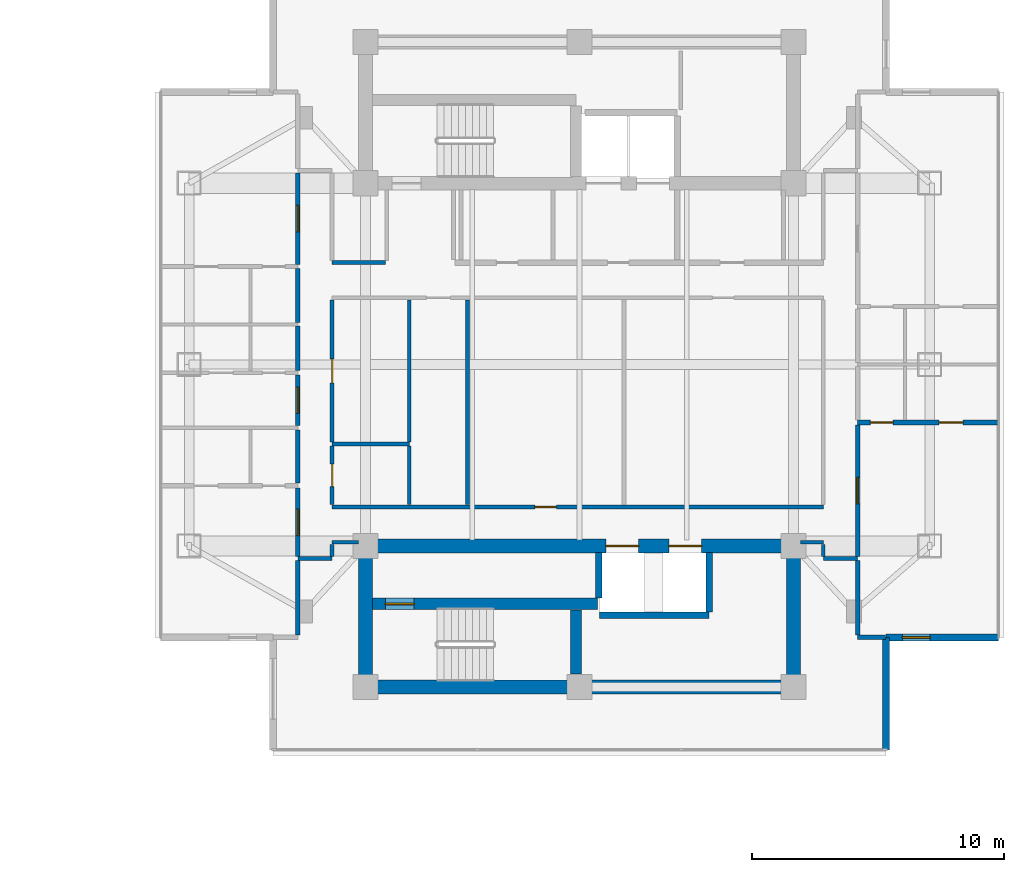
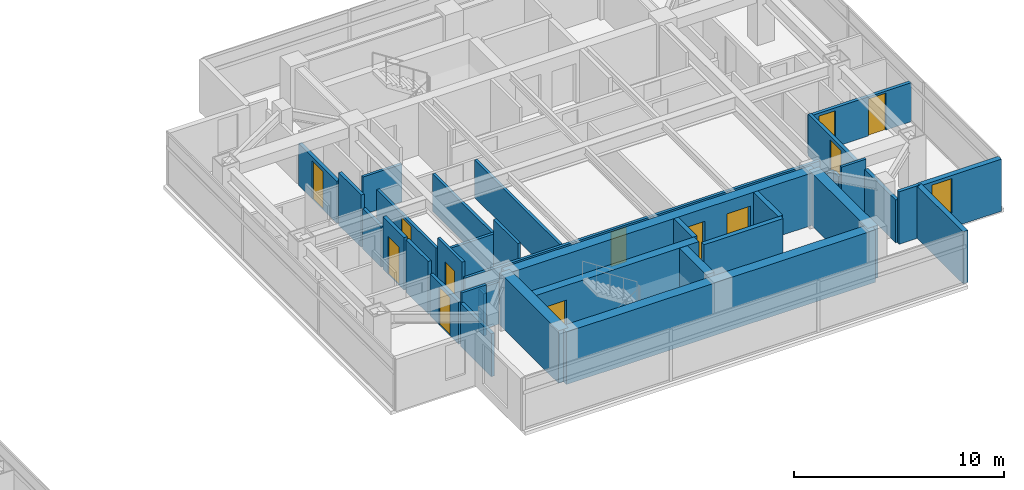
# One storey, part 16 of 24: 36 walls, 12 doors, 1 window, 13 openings.
"""IFC4 building model written with IfcOpenShell, lengths in metres."""

from ifc_helpers import new_model, si_unit, direction, frame, frame_2d, origin, place, context, subcontext, project, spatial, rectangle, extrude, material, layer, layer_set, type_object, element, fill, save


model = new_model("IFC4")

# Units and contexts
model_context = context("Model", 3, precision=1e-05, world=origin(), true_north=direction((0.0, 1.0)))
body_context = subcontext(model_context, "Body", "Model", "MODEL_VIEW")
ifc_project = project(units=[si_unit("LENGTHUNIT", "METRE"), si_unit("AREAUNIT", "SQUARE_METRE"), si_unit("VOLUMEUNIT", "CUBIC_METRE"), si_unit("PLANEANGLEUNIT", "RADIAN"), si_unit("MASSUNIT", "GRAM", prefix="KILO")], contexts=[model_context])

# Site, building, storey
site_placement = place(None, origin())
site = spatial("IfcSite", under=ifc_project, at=site_placement, CompositionType="ELEMENT")
building_placement = place(site_placement, origin())
building = spatial("IfcBuilding", under=site, at=building_placement, Name="Mirazonda Arch Towers", CompositionType="ELEMENT")
storey_placement = place(building_placement, frame((0.0, 0.0, 154.39990234375)))
storey = spatial("IfcBuildingStorey", under=building, at=storey_placement, Name="L43", CompositionType="ELEMENT", Elevation=154.39990234375)

# Wall, opening, door
ifc_material_1 = material(Name="Concrete C50/60", Category="concrete")
ifc_layer_1 = layer(ifc_material_1, 0.449951171875, Name="WALL-CORE-450")
ifc_layer_set_1 = layer_set([ifc_layer_1], Name="Concrete C50/60")
wall_type_1 = type_object("IfcWallType", Name="WALL-CORE-450", PredefinedType="SHEAR", material=ifc_layer_set_1)
wall_1_placement = place(storey_placement, frame((68.27001953125, 18.5, 0.0), z_axis=(0.0, 0.0, 1.0), x_axis=(1.0, 0.0, 0.0)))
wall_1 = element("IfcWall", 1, at=wall_1_placement, inside=storey, type_object=wall_type_1, Name="L43 Stair Core Shear Wall 014", PredefinedType="SHEAR", context=body_context, shape_type="SweptSolid", body=[
    extrude(rectangle(XDim=8.949951171875, YDim=0.449951171875, at=frame_2d((4.47509765625, 0.0))), origin(), (0.0, 0.0, 1.0), 3.050048828125),
])
opening_1_placement = place(wall_1_placement, frame((0.52001953125, 0.0, 0.0)))
opening_1 = element("IfcOpeningElement", 2, at=opening_1_placement, cuts=wall_1, Name="Opening DR-135", PredefinedType="OPENING", context=body_context, shape_type="SweptSolid", body=[
    extrude(rectangle(XDim=1.14990234375, YDim=2.199951171875, at=frame_2d((0.574951171875, 1.10009765625))), frame((0.0, 0.23486328125, 0.0), z_axis=(0.0, -1.0, 0.0), x_axis=(1.0, 0.0, 0.0)), (0.0, 0.0, 1.0), 0.469970703125),
])
ifc_material_2 = material(Name="Architectural Brushed Steel S355", Category="steel")
door_type_1 = type_object("IfcDoorType", Name="DOOR-STAIR-FD90-1150", OperationType="NOTDEFINED", PredefinedType="DOOR", material=ifc_material_2)
door_1_placement = place(opening_1_placement, origin())
door_1 = element("IfcDoor", 3, at=door_1_placement, inside=storey, type_object=door_type_1, Name="L43 East Protected Stair South Door", OperationType="SINGLE_SWING_RIGHT", OverallHeight=2.199951171875, OverallWidth=1.14990234375, PredefinedType="DOOR", context=body_context, shape_type="SweptSolid", body=[
    extrude(rectangle(XDim=1.14990234375, YDim=2.199951171875, at=frame_2d((0.574951171875, 1.10009765625))), frame((0.0, 0.02490234375, 0.0), z_axis=(0.0, -1.0, 0.0), x_axis=(1.0, 0.0, 0.0)), (0.0, 0.0, 1.0), 0.050048828125),
])
fill(opening_1, door_1)

# Walls
wall_2_placement = place(storey_placement, frame((76.360107421875, 15.715087890625, 0.0), z_axis=(0.0, 0.0, 1.0), x_axis=(0.0, 1.0, 0.0)))
element("IfcWall", 4, at=wall_2_placement, inside=storey, type_object=wall_type_1, Name="L43 Stair Core Shear Wall 147", PredefinedType="SHEAR", context=body_context, shape_type="SweptSolid", body=[
    extrude(rectangle(XDim=2.5498046875, YDim=0.449951171875, at=frame_2d((1.27490234375, 0.0))), origin(), (0.0, 0.0, 1.0), 3.050048828125),
])
ifc_layer_2 = layer(ifc_material_1, 0.550048828125, Name="WALL-CORE-550")
ifc_layer_set_2 = layer_set([ifc_layer_2], Name="Concrete C50/60")
wall_type_2 = type_object("IfcWallType", Name="WALL-CORE-550", PredefinedType="SHEAR", material=ifc_layer_set_2)
wall_3_placement = place(storey_placement, frame((68.0, 15.199951171875, 0.0), z_axis=(0.0, 0.0, 1.0), x_axis=(1.0, 0.0, 0.0)))
element("IfcWall", 5, at=wall_3_placement, inside=storey, type_object=wall_type_2, Name="L43 T2S-S Core Shear Wall", PredefinedType="SHEAR", context=body_context, shape_type="SweptSolid", body=[
    extrude(rectangle(XDim=17.0, YDim=0.550048828125, at=frame_2d((8.5, 0.0))), origin(), (0.0, 0.0, 1.0), 3.050048828125),
])
for number, where, z_axis, x_axis, name in (
    (6, (68.0, 15.199951171875, 0.0), (0.0, 0.0, 1.0), (0.0, 1.0, 0.0), "L43 T2S-W Core Shear Wall"),
    (7, (85.0, 15.199951171875, 0.0), (0.0, 0.0, 1.0), (0.0, 1.0, 0.0), "L43 T2S-E Core Shear Wall"),
):
    element("IfcWall", number, at=place(storey_placement, frame(where, z_axis=z_axis, x_axis=x_axis)), inside=storey, type_object=wall_type_2, Name=name, PredefinedType="SHEAR", context=body_context, shape_type="SweptSolid", body=[
        extrude(rectangle(XDim=5.60009765625, YDim=0.550048828125, at=frame_2d((2.800048828125, 0.0))), origin(), (0.0, 0.0, 1.0), 3.050048828125),
    ])

# Wall, openings, doors
wall_4_placement = place(storey_placement, frame((68.0, 20.800048828125, 0.0), z_axis=(0.0, 0.0, 1.0), x_axis=(1.0, 0.0, 0.0)))
wall_4 = element("IfcWall", 8, at=wall_4_placement, inside=storey, type_object=wall_type_2, Name="L43 T2S-N Core Shear Wall", PredefinedType="SHEAR", context=body_context, shape_type="SweptSolid", body=[
    extrude(rectangle(XDim=17.0, YDim=0.550048828125, at=frame_2d((8.5, 0.0))), origin(), (0.0, 0.0, 1.0), 3.050048828125),
])
opening_2_placement = place(wall_4_placement, frame((9.550048828125, 0.0, 0.0)))
opening_2 = element("IfcOpeningElement", 9, at=opening_2_placement, cuts=wall_4, Name="Opening LD-111", PredefinedType="OPENING", context=body_context, shape_type="SweptSolid", body=[
    extrude(rectangle(XDim=1.300048828125, YDim=2.300048828125, at=frame_2d((0.64990234375, 1.14990234375))), frame((0.0, 0.284912109375, 0.0), z_axis=(0.0, -1.0, 0.0), x_axis=(1.0, 0.0, 0.0)), (0.0, 0.0, 1.0), 0.570068359375),
])
opening_3_placement = place(wall_4_placement, frame((12.050048828125, 0.0, 0.0)))
opening_3 = element("IfcOpeningElement", 10, at=opening_3_placement, cuts=wall_4, Name="Opening LD-111", PredefinedType="OPENING", context=body_context, shape_type="SweptSolid", body=[
    extrude(rectangle(XDim=1.300048828125, YDim=2.300048828125, at=frame_2d((0.64990234375, 1.14990234375))), frame((0.0, 0.284912109375, 0.0), z_axis=(0.0, -1.0, 0.0), x_axis=(1.0, 0.0, 0.0)), (0.0, 0.0, 1.0), 0.570068359375),
])
door_type_2 = type_object("IfcDoorType", Name="DOOR-LIFT-LAND-1300", OperationType="NOTDEFINED", PredefinedType="DOOR", material=ifc_material_2)
door_2_placement = place(opening_2_placement, origin())
door_2 = element("IfcDoor", 11, at=door_2_placement, inside=storey, type_object=door_type_2, Name="L43 Lift Landing Sliding Door PL-T2H1", OperationType="DOUBLE_DOOR_SLIDING", OverallHeight=2.300048828125, OverallWidth=1.300048828125, PredefinedType="DOOR", context=body_context, shape_type="SweptSolid", body=[
    extrude(rectangle(XDim=1.300048828125, YDim=2.300048828125, at=frame_2d((0.64990234375, 1.14990234375))), frame((0.0, 0.02490234375, 0.0), z_axis=(0.0, -1.0, 0.0), x_axis=(1.0, 0.0, 0.0)), (0.0, 0.0, 1.0), 0.050048828125),
])
fill(opening_2, door_2)
door_3_placement = place(opening_3_placement, origin())
door_3 = element("IfcDoor", 12, at=door_3_placement, inside=storey, type_object=door_type_2, Name="L43 Lift Landing Sliding Door PL-T2H2", OperationType="DOUBLE_DOOR_SLIDING", OverallHeight=2.300048828125, OverallWidth=1.300048828125, PredefinedType="DOOR", context=body_context, shape_type="SweptSolid", body=[
    extrude(rectangle(XDim=1.300048828125, YDim=2.300048828125, at=frame_2d((0.64990234375, 1.14990234375))), frame((0.0, 0.02490234375, 0.0), z_axis=(0.0, -1.0, 0.0), x_axis=(1.0, 0.0, 0.0)), (0.0, 0.0, 1.0), 0.050048828125),
])
fill(opening_3, door_3)

# Wall, opening, window
ifc_material_3 = material(Name="Precast Concrete C40/50", Category="concrete")
ifc_layer_3 = layer(ifc_material_3, 0.280029296875, Name="WALL-EXT-WALL-280")
ifc_layer_set_3 = layer_set([ifc_layer_3], Name="Precast Concrete C40/50")
wall_type_3 = type_object("IfcWallType", Name="WALL-EXT-WALL-280", PredefinedType="SOLIDWALL", material=ifc_layer_set_3)
wall_5_placement = place(storey_placement, frame((88.667236328125, 17.173583984375, 0.0), z_axis=(0.0, 0.0, 1.0), x_axis=(1.0, 0.0, 0.0)))
wall_5 = element("IfcWall", 13, at=wall_5_placement, inside=storey, type_object=wall_type_3, Name="L43 T2 Corner Notch Return Wall WL-L43-T2-CSE1", PredefinedType="SOLIDWALL", context=body_context, shape_type="SweptSolid", body=[
    extrude(rectangle(XDim=4.46533203125, YDim=0.280029296875, at=frame_2d((2.232666015625, 0.0))), origin(), (0.0, 0.0, 1.0), 3.030029296875),
])
opening_4_placement = place(wall_5_placement, frame((0.64990234375, 0.0, 0.85009765625)))
opening_4 = element("IfcOpeningElement", 14, at=opening_4_placement, cuts=wall_5, Name="Opening WN-108", PredefinedType="OPENING", context=body_context, shape_type="SweptSolid", body=[
    extrude(rectangle(XDim=1.10009765625, YDim=2.0, at=frame_2d((0.550048828125, 1.0))), frame((0.0, 0.14990234375, 0.0), z_axis=(0.0, -1.0, 0.0), x_axis=(1.0, 0.0, 0.0)), (0.0, 0.0, 1.0), 0.300048828125),
])
ifc_material_4 = material(Name="Insulated Low-E Solar Glass", Category="glass")
window_type = type_object("IfcWindowType", Name="WIN-NOTCH-1100x2000", PartitioningType="SINGLE_PANEL", PredefinedType="WINDOW", material=ifc_material_4)
window_placement = place(opening_4_placement, origin())
window = element("IfcWindow", 15, at=window_placement, inside=storey, type_object=window_type, Name="L43 Punched Facade Window WN-L43-T2-CSE1", OverallHeight=2.0, OverallWidth=1.10009765625, PartitioningType="SINGLE_PANEL", PredefinedType="WINDOW", context=body_context, shape_type="SweptSolid", body=[
    extrude(rectangle(XDim=1.10009765625, YDim=2.0, at=frame_2d((0.550048828125, 1.0))), frame((0.0, 0.030029296875, 0.0), z_axis=(0.0, -1.0, 0.0), x_axis=(1.0, 0.0, 0.0)), (0.0, 0.0, 1.0), 0.06005859375),
])
fill(opening_4, window)

# Walls
wall_6_placement = place(storey_placement, frame((88.667236328125, 12.70849609375, 0.0), z_axis=(0.0, 0.0, 1.0), x_axis=(0.0, 1.0, 0.0)))
element("IfcWall", 16, at=wall_6_placement, inside=storey, type_object=wall_type_3, Name="L43 T2 Corner Notch Return Wall WL-L43-T2-CSE2", PredefinedType="SOLIDWALL", context=body_context, shape_type="SweptSolid", body=[
    extrude(rectangle(XDim=4.465087890625, YDim=0.280029296875, at=frame_2d((2.232421875, 0.0))), origin(), (0.0, 0.0, 1.0), 3.030029296875),
])
ifc_material_5 = material(Name="Fire-Rated Gypsum Stud Partition")
ifc_layer_4 = layer(ifc_material_5, 0.14990234375, Name="WALL-PART-CORR-150")
ifc_layer_set_4 = layer_set([ifc_layer_4], Name="Fire-Rated Gypsum Stud Partition")
wall_type_4 = type_object("IfcWallType", Name="WALL-PART-CORR-150", PredefinedType="PARTITIONING", material=ifc_layer_set_4)
wall_7_placement = place(storey_placement, frame((65.320068359375, 20.300048828125, 0.0), z_axis=(0.0, 0.0, 1.0), x_axis=(1.0, 0.0, 0.0)))
element("IfcWall", 17, at=wall_7_placement, inside=storey, type_object=wall_type_4, Name="L43 Interior Partition 017", PredefinedType="PARTITIONING", context=body_context, shape_type="SweptSolid", body=[
    extrude(rectangle(XDim=1.35986328125, YDim=0.14990234375, at=frame_2d((0.679931640625, 0.0))), origin(), (0.0, 0.0, 1.0), 3.050048828125),
])
wall_8_placement = place(storey_placement, frame((86.179931640625, 20.300048828125, 0.0), z_axis=(0.0, 0.0, 1.0), x_axis=(1.0, 0.0, 0.0)))
element("IfcWall", 18, at=wall_8_placement, inside=storey, type_object=wall_type_4, Name="L43 Interior Partition 018", PredefinedType="PARTITIONING", context=body_context, shape_type="SweptSolid", body=[
    extrude(rectangle(XDim=1.360107421875, YDim=0.14990234375, at=frame_2d((0.68017578125, 0.0))), origin(), (0.0, 0.0, 1.0), 3.050048828125),
])
wall_9_placement = place(storey_placement, frame((66.679931640625, 20.949951171875, 0.0), z_axis=(0.0, 0.0, 1.0), x_axis=(1.0, 0.0, 0.0)))
element("IfcWall", 19, at=wall_9_placement, inside=storey, type_object=wall_type_4, Name="L43 Interior Partition 019", PredefinedType="PARTITIONING", context=body_context, shape_type="SweptSolid", body=[
    extrude(rectangle(XDim=1.050048828125, YDim=0.14990234375, at=frame_2d((0.52490234375, 0.0))), origin(), (0.0, 0.0, 1.0), 2.442138671875),
])
wall_10_placement = place(storey_placement, frame((85.27001953125, 20.949951171875, 0.0), z_axis=(0.0, 0.0, 1.0), x_axis=(1.0, 0.0, 0.0)))
element("IfcWall", 20, at=wall_10_placement, inside=storey, type_object=wall_type_4, Name="L43 Interior Partition 020", PredefinedType="PARTITIONING", context=body_context, shape_type="SweptSolid", body=[
    extrude(rectangle(XDim=0.909912109375, YDim=0.14990234375, at=frame_2d((0.455078125, 0.0))), origin(), (0.0, 0.0, 1.0), 2.442138671875),
])

# Wall, opening, door
wall_11_placement = place(storey_placement, frame((66.679931640625, 22.35009765625, 0.0), z_axis=(0.0, 0.0, 1.0), x_axis=(1.0, 0.0, 0.0)))
wall_11 = element("IfcWall", 21, at=wall_11_placement, inside=storey, type_object=wall_type_4, Name="L43 Interior Partition 023", PredefinedType="PARTITIONING", context=body_context, shape_type="SweptSolid", body=[
    extrude(rectangle(XDim=19.5, YDim=0.14990234375, at=frame_2d((9.75, 0.0))), origin(), (0.0, 0.0, 1.0), 2.18603515625),
])
opening_5_placement = place(wall_11_placement, frame((8.053466796875, 0.0, 0.0)))
opening_5 = element("IfcOpeningElement", 22, at=opening_5_placement, cuts=wall_11, Name="Opening DR-128", PredefinedType="OPENING", context=body_context, shape_type="SweptSolid", body=[
    extrude(rectangle(XDim=0.85009765625, YDim=2.010009765625, at=frame_2d((0.425048828125, 1.0048828125))), frame((0.0, 0.0849609375, 0.0), z_axis=(0.0, -1.0, 0.0), x_axis=(1.0, 0.0, 0.0)), (0.0, 0.0, 1.0), 0.169921875),
])
door_type_3 = type_object("IfcDoorType", Name="DOOR-RISER-FD60-850", OperationType="NOTDEFINED", PredefinedType="DOOR", material=ifc_material_2)
door_4_placement = place(opening_5_placement, origin())
door_4 = element("IfcDoor", 23, at=door_4_placement, inside=storey, type_object=door_type_3, Name="L43 Residents Private Library Door", OperationType="SINGLE_SWING_LEFT", OverallHeight=2.010009765625, OverallWidth=0.85009765625, PredefinedType="DOOR", context=body_context, shape_type="SweptSolid", body=[
    extrude(rectangle(XDim=0.85009765625, YDim=2.010009765625, at=frame_2d((0.425048828125, 1.0048828125))), frame((0.0, 0.02490234375, 0.0), z_axis=(0.0, -1.0, 0.0), x_axis=(1.0, 0.0, 0.0)), (0.0, 0.0, 1.0), 0.050048828125),
])
fill(opening_5, door_4)

# Walls
wall_12_placement = place(storey_placement, frame((66.679931640625, 24.85009765625, 0.0), z_axis=(0.0, 0.0, 1.0), x_axis=(1.0, 0.0, 0.0)))
element("IfcWall", 24, at=wall_12_placement, inside=storey, type_object=wall_type_4, Name="L43 Interior Partition 028", PredefinedType="PARTITIONING", context=body_context, shape_type="SweptSolid", body=[
    extrude(rectangle(XDim=3.070068359375, YDim=0.14990234375, at=frame_2d((1.53515625, 0.0))), origin(), (0.0, 0.0, 1.0), 2.18603515625),
])
wall_13_placement = place(storey_placement, frame((66.679931640625, 32.050048828125, 0.0), z_axis=(0.0, 0.0, 1.0), x_axis=(1.0, 0.0, 0.0)))
element("IfcWall", 25, at=wall_13_placement, inside=storey, type_object=wall_type_4, Name="L43 Interior Partition 045", PredefinedType="PARTITIONING", context=body_context, shape_type="SweptSolid", body=[
    extrude(rectangle(XDim=2.1201171875, YDim=0.14990234375, at=frame_2d((1.06005859375, 0.0))), origin(), (0.0, 0.0, 1.0), 2.18603515625),
])
wall_14_placement = place(storey_placement, frame((66.679931640625, 20.385009765625, 0.0), z_axis=(0.0, 0.0, 1.0), x_axis=(0.0, 1.0, 0.0)))
element("IfcWall", 26, at=wall_14_placement, inside=storey, type_object=wall_type_4, Name="L43 Interior Partition 136", PredefinedType="PARTITIONING", context=body_context, shape_type="SweptSolid", body=[
    extrude(rectangle(XDim=0.47998046875, YDim=0.14990234375, at=frame_2d((0.239990234375, 0.0))), origin(), (0.0, 0.0, 1.0), 2.442138671875),
])

# Wall, opening, door
wall_15_placement = place(storey_placement, frame((66.679931640625, 22.43505859375, 0.0), z_axis=(0.0, 0.0, 1.0), x_axis=(0.0, 1.0, 0.0)))
wall_15 = element("IfcWall", 27, at=wall_15_placement, inside=storey, type_object=wall_type_4, Name="L43 Interior Partition 137", PredefinedType="PARTITIONING", context=body_context, shape_type="SweptSolid", body=[
    extrude(rectangle(XDim=2.329833984375, YDim=0.14990234375, at=frame_2d((1.1650390625, 0.0))), origin(), (0.0, 0.0, 1.0), 3.050048828125),
])
opening_6_placement = place(wall_15_placement, frame((0.715087890625, 0.0, 0.0)))
opening_6 = element("IfcOpeningElement", 28, at=opening_6_placement, cuts=wall_15, Name="Opening DR-120", PredefinedType="OPENING", context=body_context, shape_type="SweptSolid", body=[
    extrude(rectangle(XDim=0.89990234375, YDim=2.10009765625, at=frame_2d((0.449951171875, 1.050048828125))), frame((0.0, 0.0849609375, 0.0), z_axis=(0.0, -1.0, 0.0), x_axis=(1.0, 0.0, 0.0)), (0.0, 0.0, 1.0), 0.169921875),
])
door_type_4 = type_object("IfcDoorType", Name="DOOR-WC-900", OperationType="NOTDEFINED", PredefinedType="DOOR", material=ifc_material_2)
door_5_placement = place(opening_6_placement, origin())
door_5 = element("IfcDoor", 29, at=door_5_placement, inside=storey, type_object=door_type_4, Name="L43 Tower 2 Common Accessible WC Door", OperationType="SINGLE_SWING_LEFT", OverallHeight=2.10009765625, OverallWidth=0.89990234375, PredefinedType="DOOR", context=body_context, shape_type="SweptSolid", body=[
    extrude(rectangle(XDim=0.89990234375, YDim=2.10009765625, at=frame_2d((0.449951171875, 1.050048828125))), frame((0.0, 0.02490234375, 0.0), z_axis=(0.0, -1.0, 0.0), x_axis=(1.0, 0.0, 0.0)), (0.0, 0.0, 1.0), 0.050048828125),
])
fill(opening_6, door_5)

wall_16_placement = place(storey_placement, frame((66.679931640625, 24.93505859375, 0.0), z_axis=(0.0, 0.0, 1.0), x_axis=(0.0, 1.0, 0.0)))
wall_16 = element("IfcWall", 30, at=wall_16_placement, inside=storey, type_object=wall_type_4, Name="L43 Interior Partition 138", PredefinedType="PARTITIONING", context=body_context, shape_type="SweptSolid", body=[
    extrude(rectangle(XDim=5.6298828125, YDim=0.14990234375, at=frame_2d((2.81494140625, 0.0))), origin(), (0.0, 0.0, 1.0), 2.34619140625),
])
opening_7_placement = place(wall_16_placement, frame((2.340087890625, 0.0, 0.0)))
opening_7 = element("IfcOpeningElement", 31, at=opening_7_placement, cuts=wall_16, Name="Opening DR-104", PredefinedType="OPENING", context=body_context, shape_type="SweptSolid", body=[
    extrude(rectangle(XDim=0.949951171875, YDim=2.14990234375, at=frame_2d((0.47509765625, 1.074951171875))), frame((0.0, 0.0849609375, 0.0), z_axis=(0.0, -1.0, 0.0), x_axis=(1.0, 0.0, 0.0)), (0.0, 0.0, 1.0), 0.169921875),
])
door_type_5 = type_object("IfcDoorType", Name="DOOR-ROOM-950", OperationType="NOTDEFINED", PredefinedType="DOOR", material=ifc_material_2)
door_6_placement = place(opening_7_placement, origin())
door_6 = element("IfcDoor", 32, at=door_6_placement, inside=storey, type_object=door_type_5, Name="L43 L43 East Courtyard Reading Study Door", OperationType="SINGLE_SWING_LEFT", OverallHeight=2.14990234375, OverallWidth=0.949951171875, PredefinedType="DOOR", context=body_context, shape_type="SweptSolid", body=[
    extrude(rectangle(XDim=0.949951171875, YDim=2.14990234375, at=frame_2d((0.47509765625, 1.074951171875))), frame((0.0, 0.02490234375, 0.0), z_axis=(0.0, -1.0, 0.0), x_axis=(1.0, 0.0, 0.0)), (0.0, 0.0, 1.0), 0.050048828125),
])
fill(opening_7, door_6)

# Walls
wall_17_placement = place(storey_placement, frame((69.743408203125, 22.43505859375, 0.0), z_axis=(0.0, 0.0, 1.0), x_axis=(0.0, 1.0, 0.0)))
element("IfcWall", 33, at=wall_17_placement, inside=storey, type_object=wall_type_4, Name="L43 Interior Partition 141", PredefinedType="PARTITIONING", context=body_context, shape_type="SweptSolid", body=[
    extrude(rectangle(XDim=2.329833984375, YDim=0.14990234375, at=frame_2d((1.1650390625, 0.0))), origin(), (0.0, 0.0, 1.0), 3.050048828125),
])
wall_18_placement = place(storey_placement, frame((69.743408203125, 24.93505859375, 0.0), z_axis=(0.0, 0.0, 1.0), x_axis=(0.0, 1.0, 0.0)))
element("IfcWall", 34, at=wall_18_placement, inside=storey, type_object=wall_type_4, Name="L43 Interior Partition 142", PredefinedType="PARTITIONING", context=body_context, shape_type="SweptSolid", body=[
    extrude(rectangle(XDim=5.6298828125, YDim=0.14990234375, at=frame_2d((2.81494140625, 0.0))), origin(), (0.0, 0.0, 1.0), 2.18603515625),
])
wall_19_placement = place(storey_placement, frame((72.050048828125, 22.43505859375, 0.0), z_axis=(0.0, 0.0, 1.0), x_axis=(0.0, 1.0, 0.0)))
element("IfcWall", 35, at=wall_19_placement, inside=storey, type_object=wall_type_4, Name="L43 Interior Partition 145", PredefinedType="PARTITIONING", context=body_context, shape_type="SweptSolid", body=[
    extrude(rectangle(XDim=8.1298828125, YDim=0.14990234375, at=frame_2d((4.06494140625, 0.0))), origin(), (0.0, 0.0, 1.0), 2.18603515625),
])
wall_20_placement = place(storey_placement, frame((86.179931640625, 20.385009765625, 0.0), z_axis=(0.0, 0.0, 1.0), x_axis=(0.0, 1.0, 0.0)))
element("IfcWall", 36, at=wall_20_placement, inside=storey, type_object=wall_type_4, Name="L43 Interior Partition 156", PredefinedType="PARTITIONING", context=body_context, shape_type="SweptSolid", body=[
    extrude(rectangle(XDim=0.47998046875, YDim=0.14990234375, at=frame_2d((0.239990234375, 0.0))), origin(), (0.0, 0.0, 1.0), 2.442138671875),
])
ifc_material_6 = material(Name="Fire-Rated Gypsum Twin-Stud Assembly")
ifc_layer_5 = layer(ifc_material_6, 0.179931640625, Name="WALL-PART-DEMISE-180")
ifc_layer_set_5 = layer_set([ifc_layer_5], Name="Fire-Rated Gypsum Twin-Stud Assembly")
wall_type_5 = type_object("IfcWallType", Name="WALL-PART-DEMISE-180", PredefinedType="PARTITIONING", material=ifc_layer_set_5)
wall_21_placement = place(storey_placement, frame((87.5400390625, 17.174072265625, 0.0), z_axis=(0.0, 0.0, 1.0), x_axis=(1.0, 0.0, 0.0)))
element("IfcWall", 37, at=wall_21_placement, inside=storey, type_object=wall_type_5, Name="L43 Interior Partition 010", PredefinedType="PARTITIONING", context=body_context, shape_type="SweptSolid", body=[
    extrude(rectangle(XDim=1.107177734375, YDim=0.179931640625, at=frame_2d((0.5537109375, 0.0))), origin(), (0.0, 0.0, 1.0), 3.050048828125),
])

# Wall, openings, doors
wall_22_placement = place(storey_placement, frame((87.5400390625, 25.699951171875, 0.0), z_axis=(0.0, 0.0, 1.0), x_axis=(1.0, 0.0, 0.0)))
wall_22 = element("IfcWall", 38, at=wall_22_placement, inside=storey, type_object=wall_type_5, Name="L43 Interior Partition 032", PredefinedType="PARTITIONING", context=body_context, shape_type="SweptSolid", body=[
    extrude(rectangle(XDim=5.593017578125, YDim=0.179931640625, at=frame_2d((2.79638671875, 0.0))), origin(), (0.0, 0.0, 1.0), 2.26904296875),
])
opening_8_placement = place(wall_22_placement, frame((3.241455078125, 0.0, 0.0)))
opening_8 = element("IfcOpeningElement", 39, at=opening_8_placement, cuts=wall_22, Name="Opening DR-104", PredefinedType="OPENING", context=body_context, shape_type="SweptSolid", body=[
    extrude(rectangle(XDim=0.949951171875, YDim=2.14990234375, at=frame_2d((0.47509765625, 1.074951171875))), frame((0.0, 0.099853515625, 0.0), z_axis=(0.0, -1.0, 0.0), x_axis=(1.0, 0.0, 0.0)), (0.0, 0.0, 1.0), 0.199951171875),
])
opening_9_placement = place(wall_22_placement, frame((0.510009765625, 0.0, 0.0)))
opening_9 = element("IfcOpeningElement", 40, at=opening_9_placement, cuts=wall_22, Name="Opening DR-120", PredefinedType="OPENING", context=body_context, shape_type="SweptSolid", body=[
    extrude(rectangle(XDim=0.89990234375, YDim=2.10009765625, at=frame_2d((0.449951171875, 1.050048828125))), frame((0.0, 0.099853515625, 0.0), z_axis=(0.0, -1.0, 0.0), x_axis=(1.0, 0.0, 0.0)), (0.0, 0.0, 1.0), 0.199951171875),
])
door_7_placement = place(opening_8_placement, origin())
door_7 = element("IfcDoor", 41, at=door_7_placement, inside=storey, type_object=door_type_5, Name="L43 Studio 1 Galley Kitchen Door", OperationType="SINGLE_SWING_RIGHT", OverallHeight=2.14990234375, OverallWidth=0.949951171875, PredefinedType="DOOR", context=body_context, shape_type="SweptSolid", body=[
    extrude(rectangle(XDim=0.949951171875, YDim=2.14990234375, at=frame_2d((0.47509765625, 1.074951171875))), frame((0.0, 0.02490234375, 0.0), z_axis=(0.0, -1.0, 0.0), x_axis=(1.0, 0.0, 0.0)), (0.0, 0.0, 1.0), 0.050048828125),
])
fill(opening_8, door_7)
door_8_placement = place(opening_9_placement, origin())
door_8 = element("IfcDoor", 42, at=door_8_placement, inside=storey, type_object=door_type_4, Name="L43 Studio 1 Bathroom Door", OperationType="SINGLE_SWING_LEFT", OverallHeight=2.10009765625, OverallWidth=0.89990234375, PredefinedType="DOOR", context=body_context, shape_type="SweptSolid", body=[
    extrude(rectangle(XDim=0.89990234375, YDim=2.10009765625, at=frame_2d((0.449951171875, 1.050048828125))), frame((0.0, 0.02490234375, 0.0), z_axis=(0.0, -1.0, 0.0), x_axis=(1.0, 0.0, 0.0)), (0.0, 0.0, 1.0), 0.050048828125),
])
fill(opening_9, door_8)

# Wall
wall_23_placement = place(storey_placement, frame((65.320068359375, 17.27392578125, 0.0), z_axis=(0.0, 0.0, 1.0), x_axis=(0.0, 1.0, 0.0)))
element("IfcWall", 43, at=wall_23_placement, inside=storey, type_object=wall_type_5, Name="L43 Interior Partition 128", PredefinedType="PARTITIONING", context=body_context, shape_type="SweptSolid", body=[
    extrude(rectangle(XDim=2.941162109375, YDim=0.179931640625, at=frame_2d((1.470703125, 0.0))), origin(), (0.0, 0.0, 1.0), 2.4931640625),
])

# Wall, opening, door
wall_24_placement = place(storey_placement, frame((65.320068359375, 20.385009765625, 0.0), z_axis=(0.0, 0.0, 1.0), x_axis=(0.0, 1.0, 0.0)))
wall_24 = element("IfcWall", 44, at=wall_24_placement, inside=storey, type_object=wall_type_5, Name="L43 Interior Partition 129", PredefinedType="PARTITIONING", context=body_context, shape_type="SweptSolid", body=[
    extrude(rectangle(XDim=2.70703125, YDim=0.179931640625, at=frame_2d((1.353515625, 0.0))), origin(), (0.0, 0.0, 1.0), 2.442138671875),
])
opening_10_placement = place(wall_24_placement, frame((0.82861328125, 0.0, 0.0)))
opening_10 = element("IfcOpeningElement", 45, at=opening_10_placement, cuts=wall_24, Name="Opening DR-121", PredefinedType="OPENING", context=body_context, shape_type="SweptSolid", body=[
    extrude(rectangle(XDim=1.050048828125, YDim=2.199951171875, at=frame_2d((0.52490234375, 1.10009765625))), frame((0.0, 0.099853515625, 0.0), z_axis=(0.0, -1.0, 0.0), x_axis=(1.0, 0.0, 0.0)), (0.0, 0.0, 1.0), 0.199951171875),
])
door_type_6 = type_object("IfcDoorType", Name="DOOR-SUITE-FD60-1050", OperationType="NOTDEFINED", PredefinedType="DOOR", material=ifc_material_2)
door_9_placement = place(opening_10_placement, origin())
door_9 = element("IfcDoor", 46, at=door_9_placement, inside=storey, type_object=door_type_6, Name="L43 Studio Apartment 1 Living Salon Door", OperationType="SINGLE_SWING_RIGHT", OverallHeight=2.199951171875, OverallWidth=1.050048828125, PredefinedType="DOOR", context=body_context, shape_type="SweptSolid", body=[
    extrude(rectangle(XDim=1.050048828125, YDim=2.199951171875, at=frame_2d((0.52490234375, 1.10009765625))), frame((0.0, 0.02490234375, 0.0), z_axis=(0.0, -1.0, 0.0), x_axis=(1.0, 0.0, 0.0)), (0.0, 0.0, 1.0), 0.050048828125),
])
fill(opening_10, door_9)

# Wall
wall_25_placement = place(storey_placement, frame((65.320068359375, 23.2919921875, 0.0), z_axis=(0.0, 0.0, 1.0), x_axis=(0.0, 1.0, 0.0)))
element("IfcWall", 47, at=wall_25_placement, inside=storey, type_object=wall_type_5, Name="L43 Interior Partition 130", PredefinedType="PARTITIONING", context=body_context, shape_type="SweptSolid", body=[
    extrude(rectangle(XDim=2.114990234375, YDim=0.179931640625, at=frame_2d((1.0576171875, 0.0))), origin(), (0.0, 0.0, 1.0), 3.050048828125),
])

# Wall, opening, door
wall_26_placement = place(storey_placement, frame((65.320068359375, 25.576904296875, 0.0), z_axis=(0.0, 0.0, 1.0), x_axis=(0.0, 1.0, 0.0)))
wall_26 = element("IfcWall", 48, at=wall_26_placement, inside=storey, type_object=wall_type_5, Name="L43 Interior Partition 131", PredefinedType="PARTITIONING", context=body_context, shape_type="SweptSolid", body=[
    extrude(rectangle(XDim=2.01416015625, YDim=0.179931640625, at=frame_2d((1.007080078125, 0.0))), origin(), (0.0, 0.0, 1.0), 3.050048828125),
])
opening_11_placement = place(wall_26_placement, frame((0.48193359375, 0.0, 0.0)))
opening_11 = element("IfcOpeningElement", 49, at=opening_11_placement, cuts=wall_26, Name="Opening DR-121", PredefinedType="OPENING", context=body_context, shape_type="SweptSolid", body=[
    extrude(rectangle(XDim=1.050048828125, YDim=2.199951171875, at=frame_2d((0.52490234375, 1.10009765625))), frame((0.0, 0.099853515625, 0.0), z_axis=(0.0, -1.0, 0.0), x_axis=(1.0, 0.0, 0.0)), (0.0, 0.0, 1.0), 0.199951171875),
])
door_10_placement = place(opening_11_placement, origin())
door_10 = element("IfcDoor", 50, at=door_10_placement, inside=storey, type_object=door_type_6, Name="L43 Studio Apartment 2 Living Salon Door", OperationType="SINGLE_SWING_LEFT", OverallHeight=2.199951171875, OverallWidth=1.050048828125, PredefinedType="DOOR", context=body_context, shape_type="SweptSolid", body=[
    extrude(rectangle(XDim=1.050048828125, YDim=2.199951171875, at=frame_2d((0.52490234375, 1.10009765625))), frame((0.0, 0.02490234375, 0.0), z_axis=(0.0, -1.0, 0.0), x_axis=(1.0, 0.0, 0.0)), (0.0, 0.0, 1.0), 0.050048828125),
])
fill(opening_11, door_10)

# Walls
wall_27_placement = place(storey_placement, frame((65.320068359375, 27.760986328125, 0.0), z_axis=(0.0, 0.0, 1.0), x_axis=(0.0, 1.0, 0.0)))
element("IfcWall", 51, at=wall_27_placement, inside=storey, type_object=wall_type_5, Name="L43 Interior Partition 132", PredefinedType="PARTITIONING", context=body_context, shape_type="SweptSolid", body=[
    extrude(rectangle(XDim=1.762451171875, YDim=0.179931640625, at=frame_2d((0.88134765625, 0.0))), origin(), (0.0, 0.0, 1.0), 2.34619140625),
])
wall_28_placement = place(storey_placement, frame((65.320068359375, 29.66845703125, 0.0), z_axis=(0.0, 0.0, 1.0), x_axis=(0.0, 1.0, 0.0)))
element("IfcWall", 52, at=wall_28_placement, inside=storey, type_object=wall_type_5, Name="L43 Interior Partition 133", PredefinedType="PARTITIONING", context=body_context, shape_type="SweptSolid", body=[
    extrude(rectangle(XDim=2.142578125, YDim=0.179931640625, at=frame_2d((1.0712890625, 0.0))), origin(), (0.0, 0.0, 1.0), 3.050048828125),
])

# Wall, opening, door
wall_29_placement = place(storey_placement, frame((65.320068359375, 31.98095703125, 0.0), z_axis=(0.0, 0.0, 1.0), x_axis=(0.0, 1.0, 0.0)))
wall_29 = element("IfcWall", 53, at=wall_29_placement, inside=storey, type_object=wall_type_5, Name="L43 Interior Partition 134", PredefinedType="PARTITIONING", context=body_context, shape_type="SweptSolid", body=[
    extrude(rectangle(XDim=3.634033203125, YDim=0.179931640625, at=frame_2d((1.81689453125, 0.0))), origin(), (0.0, 0.0, 1.0), 2.442138671875),
])
opening_12_placement = place(wall_29_placement, frame((1.2919921875, 0.0, 0.0)))
opening_12 = element("IfcOpeningElement", 54, at=opening_12_placement, cuts=wall_29, Name="Opening DR-121", PredefinedType="OPENING", context=body_context, shape_type="SweptSolid", body=[
    extrude(rectangle(XDim=1.050048828125, YDim=2.199951171875, at=frame_2d((0.52490234375, 1.10009765625))), frame((0.0, 0.099853515625, 0.0), z_axis=(0.0, -1.0, 0.0), x_axis=(1.0, 0.0, 0.0)), (0.0, 0.0, 1.0), 0.199951171875),
])
door_11_placement = place(opening_12_placement, origin())
door_11 = element("IfcDoor", 55, at=door_11_placement, inside=storey, type_object=door_type_6, Name="L43 Studio Apartment 3 Living Salon Door", OperationType="SINGLE_SWING_RIGHT", OverallHeight=2.199951171875, OverallWidth=1.050048828125, PredefinedType="DOOR", context=body_context, shape_type="SweptSolid", body=[
    extrude(rectangle(XDim=1.050048828125, YDim=2.199951171875, at=frame_2d((0.52490234375, 1.10009765625))), frame((0.0, 0.02490234375, 0.0), z_axis=(0.0, -1.0, 0.0), x_axis=(1.0, 0.0, 0.0)), (0.0, 0.0, 1.0), 0.050048828125),
])
fill(opening_12, door_11)

# Wall
wall_30_placement = place(storey_placement, frame((87.5400390625, 17.27392578125, 0.0), z_axis=(0.0, 0.0, 1.0), x_axis=(0.0, 1.0, 0.0)))
element("IfcWall", 56, at=wall_30_placement, inside=storey, type_object=wall_type_5, Name="L43 Interior Partition 159", PredefinedType="PARTITIONING", context=body_context, shape_type="SweptSolid", body=[
    extrude(rectangle(XDim=2.941162109375, YDim=0.179931640625, at=frame_2d((1.470703125, 0.0))), origin(), (0.0, 0.0, 1.0), 2.4931640625),
])

# Wall, opening, door
wall_31_placement = place(storey_placement, frame((87.5400390625, 20.385009765625, 0.0), z_axis=(0.0, 0.0, 1.0), x_axis=(0.0, 1.0, 0.0)))
wall_31 = element("IfcWall", 57, at=wall_31_placement, inside=storey, type_object=wall_type_5, Name="L43 Interior Partition 160", PredefinedType="PARTITIONING", context=body_context, shape_type="SweptSolid", body=[
    extrude(rectangle(XDim=5.215087890625, YDim=0.179931640625, at=frame_2d((2.607421875, 0.0))), origin(), (0.0, 0.0, 1.0), 2.442138671875),
])
opening_13_placement = place(wall_31_placement, frame((2.08251953125, 0.0, 0.0)))
opening_13 = element("IfcOpeningElement", 58, at=opening_13_placement, cuts=wall_31, Name="Opening DR-121", PredefinedType="OPENING", context=body_context, shape_type="SweptSolid", body=[
    extrude(rectangle(XDim=1.050048828125, YDim=2.199951171875, at=frame_2d((0.52490234375, 1.10009765625))), frame((0.0, 0.099853515625, 0.0), z_axis=(0.0, -1.0, 0.0), x_axis=(1.0, 0.0, 0.0)), (0.0, 0.0, 1.0), 0.199951171875),
])
door_12_placement = place(opening_13_placement, origin())
door_12 = element("IfcDoor", 59, at=door_12_placement, inside=storey, type_object=door_type_6, Name="L43 Studio Apartment 1 Living Salon Door", OperationType="SINGLE_SWING_LEFT", OverallHeight=2.199951171875, OverallWidth=1.050048828125, PredefinedType="DOOR", context=body_context, shape_type="SweptSolid", body=[
    extrude(rectangle(XDim=1.050048828125, YDim=2.199951171875, at=frame_2d((0.52490234375, 1.10009765625))), frame((0.0, 0.02490234375, 0.0), z_axis=(0.0, -1.0, 0.0), x_axis=(1.0, 0.0, 0.0)), (0.0, 0.0, 1.0), 0.050048828125),
])
fill(opening_13, door_12)

# Walls
ifc_material_7 = material(Name="Concrete C40/50", Category="concrete")
ifc_layer_6 = layer(ifc_material_7, 0.25, Name="WALL-SHAFT-250")
ifc_layer_set_6 = layer_set([ifc_layer_6], Name="Concrete C40/50")
wall_type_6 = type_object("IfcWallType", Name="WALL-SHAFT-250", PredefinedType="SOLIDWALL", material=ifc_layer_set_6)
wall_32_placement = place(storey_placement, frame((77.300048828125, 18.050048828125, 0.0), z_axis=(0.0, 0.0, 1.0), x_axis=(1.0, 0.0, 0.0)))
element("IfcWall", 60, at=wall_32_placement, inside=storey, type_object=wall_type_6, Name="L43 Interior Partition 011", PredefinedType="SOLIDWALL", context=body_context, shape_type="SweptSolid", body=[
    extrude(rectangle(XDim=4.349853515625, YDim=0.25, at=frame_2d((2.1748046875, 0.0))), origin(), (0.0, 0.0, 1.0), 3.050048828125),
])
wall_33_placement = place(storey_placement, frame((77.260009765625, 18.735107421875, 0.0), z_axis=(0.0, 0.0, 1.0), x_axis=(0.0, 1.0, 0.0)))
element("IfcWall", 61, at=wall_33_placement, inside=storey, type_object=wall_type_6, Name="L43 Interior Partition 149", PredefinedType="SOLIDWALL", context=body_context, shape_type="SweptSolid", body=[
    extrude(rectangle(XDim=1.794921875, YDim=0.25, at=frame_2d((0.8974609375, 0.0))), origin(), (0.0, 0.0, 1.0), 3.050048828125),
])
wall_34_placement = place(storey_placement, frame((81.64990234375, 18.18505859375, 0.0), z_axis=(0.0, 0.0, 1.0), x_axis=(0.0, 1.0, 0.0)))
element("IfcWall", 62, at=wall_34_placement, inside=storey, type_object=wall_type_6, Name="L43 Interior Partition 154", PredefinedType="SOLIDWALL", context=body_context, shape_type="SweptSolid", body=[
    extrude(rectangle(XDim=2.344970703125, YDim=0.25, at=frame_2d((1.17236328125, 0.0))), origin(), (0.0, 0.0, 1.0), 3.050048828125),
])

save(model, "model.ifc")
